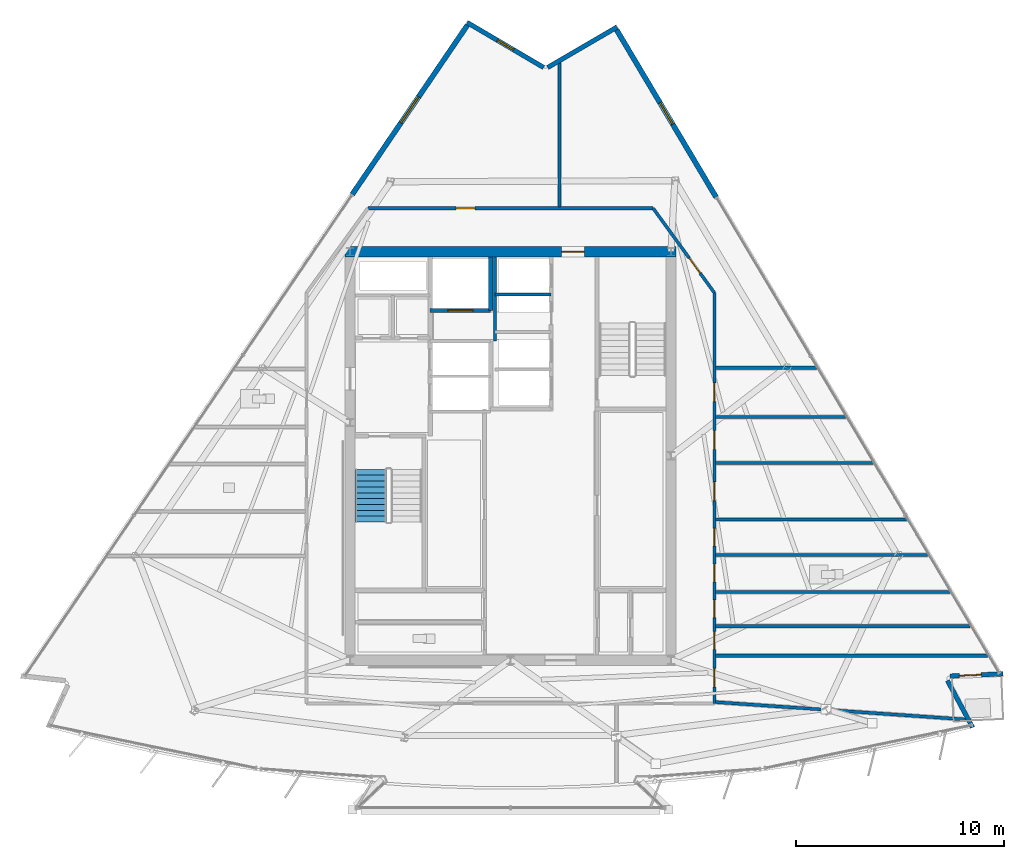
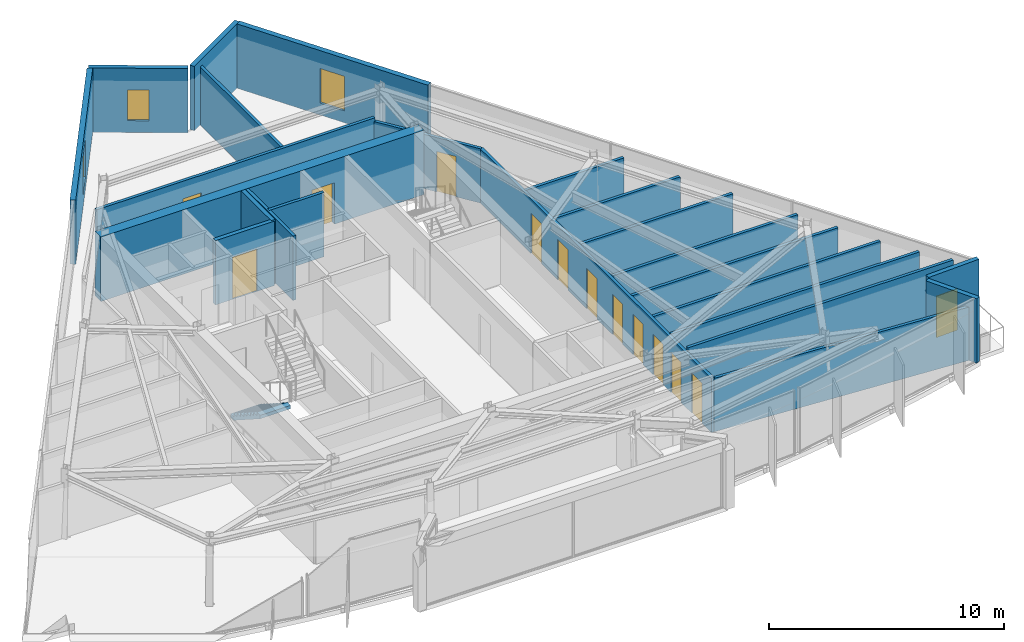
# One storey, part 8 of 13: 24 walls, 13 doors, 3 windows, 1 stair flight, 16 openings, 1 element without a shape of its own.
"""IFC4 building model written with IfcOpenShell, lengths in metres."""

from ifc_helpers import new_model, si_unit, direction, frame, frame_2d, origin, place, context, subcontext, project, spatial, polyline, rectangle, outline, extrude, material, layer, layer_set, type_object, element, fill, aggregate, save


model = new_model("IFC4")

# Units and contexts
model_context = context("Model", 3, precision=1e-05, world=origin(), true_north=direction((0.0, 1.0)))
body_context = subcontext(model_context, "Body", "Model", "MODEL_VIEW")
ifc_project = project(units=[si_unit("LENGTHUNIT", "METRE"), si_unit("AREAUNIT", "SQUARE_METRE"), si_unit("VOLUMEUNIT", "CUBIC_METRE"), si_unit("PLANEANGLEUNIT", "RADIAN"), si_unit("MASSUNIT", "GRAM", prefix="KILO")], contexts=[model_context])

# Site, building, storey
site_placement = place(None, origin())
site = spatial("IfcSite", under=ifc_project, at=site_placement, CompositionType="ELEMENT")
building_placement = place(site_placement, origin())
building = spatial("IfcBuilding", under=site, at=building_placement, Name="Savorim Split Tower", CompositionType="ELEMENT")
storey_placement = place(building_placement, frame((0.0, 0.0, 286.800048828125)))
storey = spatial("IfcBuildingStorey", under=building, at=storey_placement, Name="L76", CompositionType="ELEMENT", Elevation=286.800048828125)

# Wall, opening, door
ifc_material_1 = material(Name="Concrete C60/75", Category="concrete")
ifc_layer_1 = layer(ifc_material_1, 0.5)
ifc_layer_set_1 = layer_set([ifc_layer_1], Name="WAL-COR-SH500")
wall_type_1 = type_object("IfcWallType", Name="WAL-COR-SH500", PredefinedType="SHEAR", material=ifc_layer_set_1)
wall_1_placement = place(storey_placement, frame((7.949951171875, 10.199951171875, 0.0), z_axis=(0.0, 0.0, 1.0), x_axis=(-1.0, 0.0, 0.0)))
wall_1 = element("IfcWall", 1, at=wall_1_placement, inside=storey, type_object=wall_type_1, Name="L76 Offset Core North Shear Wall", PredefinedType="SHEAR", context=body_context, shape_type="SweptSolid", body=[
    extrude(rectangle(XDim=15.89990234375, YDim=0.5, at=frame_2d((7.949951171875, 0.0))), origin(), (0.0, 0.0, 1.0), 3.349853515625),
])
opening_1_placement = place(wall_1_placement, frame((4.39990234375, 0.0, 0.0)))
opening_1 = element("IfcOpeningElement", 2, at=opening_1_placement, cuts=wall_1, Name="Opening DI-03", PredefinedType="OPENING", context=body_context, shape_type="SweptSolid", body=[
    extrude(rectangle(XDim=1.10009765625, YDim=2.14990234375, at=frame_2d((0.550048828125, 1.074951171875))), frame((0.0, 0.260009765625, 0.0), z_axis=(0.0, -1.0, 0.0), x_axis=(1.0, 0.0, 0.0)), (0.0, 0.0, 1.0), 0.52001953125),
])
ifc_material_2 = material(Name="Timber Fire Door Leaf", Category="wood")
door_type_1 = type_object("IfcDoorType", Name="DOR-FIR-1100", OperationType="NOTDEFINED", PredefinedType="DOOR", material=ifc_material_2)
door_1_placement = place(opening_1_placement, origin())
door_1 = element("IfcDoor", 3, at=door_1_placement, inside=storey, type_object=door_type_1, Name="DOR-L76-COR-NLOB - L76 North Corridor Lobby Fire Door", OperationType="SINGLE_SWING_LEFT", OverallHeight=2.14990234375, OverallWidth=1.10009765625, PredefinedType="DOOR", context=body_context, shape_type="SweptSolid", body=[
    extrude(rectangle(XDim=1.10009765625, YDim=2.14990234375, at=frame_2d((0.550048828125, 1.074951171875))), frame((0.0, 0.02490234375, 0.0), z_axis=(0.0, -1.0, 0.0), x_axis=(1.0, 0.0, 0.0)), (0.0, 0.0, 1.0), 0.050048828125),
])
fill(opening_1, door_1)

# Wall
ifc_material_3 = material(Name="Precast concrete C40/50", Category="concrete")
ifc_layer_2 = layer(ifc_material_3, 0.219970703125)
ifc_layer_set_2 = layer_set([ifc_layer_2], Name="WAL-EXT-CRN220")
wall_type_2 = type_object("IfcWallType", Name="WAL-EXT-CRN220", PredefinedType="SOLIDWALL", material=ifc_layer_set_2)
wall_2_placement = place(storey_placement, frame((20.9638671875, -10.380615234375, 0.0), z_axis=(0.0, 0.0, 1.0), x_axis=(0.472728849632, -0.881207940685, 0.0)))
element("IfcWall", 4, at=wall_2_placement, inside=storey, type_object=wall_type_2, Name="L76 Notched Corner Facade Wall SE1", PredefinedType="SOLIDWALL", context=body_context, shape_type="SweptSolid", body=[
    extrude(rectangle(XDim=2.5498046875, YDim=0.219970703125, at=frame_2d((1.27490234375, 0.0))), origin(), (0.0, 0.0, 1.0), 3.349853515625),
])

# Wall, opening, door
wall_3_placement = place(storey_placement, frame((23.630615234375, -10.058837890625, 0.0), z_axis=(0.0, 0.0, 1.0), x_axis=(-0.999098350703, -0.042455690107, 0.0)))
wall_3 = element("IfcWall", 5, at=wall_3_placement, inside=storey, type_object=wall_type_2, Name="L76 Notched Corner Facade Wall SE", PredefinedType="SOLIDWALL", context=body_context, shape_type="SweptSolid", body=[
    extrude(rectangle(XDim=2.54736328125, YDim=0.219970703125, at=frame_2d((1.273681640625, 0.0))), origin(), (0.0, 0.0, 1.0), 3.349853515625),
])
opening_2_placement = place(wall_3_placement, frame((1.048583984375, 0.0, 0.0)))
opening_2 = element("IfcOpeningElement", 6, at=opening_2_placement, cuts=wall_3, Name="Opening DB-01", PredefinedType="OPENING", context=body_context, shape_type="SweptSolid", body=[
    extrude(rectangle(XDim=1.050048828125, YDim=2.14990234375, at=frame_2d((0.52490234375, 1.074951171875))), frame((0.0, 0.119873046875, 0.0), z_axis=(0.0, -1.0, 0.0), x_axis=(1.0, 0.0, 0.0)), (0.0, 0.0, 1.0), 0.239990234375),
])
ifc_material_4 = material(Name="Charcoal Anodised Aluminium", Category="aluminium")
door_type_2 = type_object("IfcDoorType", Name="DOR-BAL-1050", OperationType="NOTDEFINED", PredefinedType="DOOR", material=ifc_material_4)
door_2_placement = place(opening_2_placement, origin())
door_2 = element("IfcDoor", 7, at=door_2_placement, inside=storey, type_object=door_type_2, Name="DOR-L76-TBAL-SE - L76 Planted Tree Balcony Door SE", OperationType="SINGLE_SWING_LEFT", OverallHeight=2.14990234375, OverallWidth=1.050048828125, PredefinedType="DOOR", context=body_context, shape_type="SweptSolid", body=[
    extrude(rectangle(XDim=1.050048828125, YDim=2.14990234375, at=frame_2d((0.52490234375, 1.074951171875))), frame((0.0, 0.02490234375, 0.0), z_axis=(0.0, -1.0, 0.0), x_axis=(1.0, 0.0, 0.0)), (0.0, 0.0, 1.0), 0.050048828125),
])
fill(opening_2, door_2)

# Wall
wall_4_placement = place(storey_placement, frame((1.78271484375, 19.031005859375, 0.0), z_axis=(0.0, 0.0, 1.0), x_axis=(0.863972097652, 0.503539685108, 0.0)))
element("IfcWall", 8, at=wall_4_placement, inside=storey, type_object=wall_type_2, Name="L76 Notched Corner Facade Wall NE1", PredefinedType="SOLIDWALL", context=body_context, shape_type="SweptSolid", body=[
    extrude(rectangle(XDim=3.8486328125, YDim=0.219970703125, at=frame_2d((1.92431640625, 0.0))), origin(), (0.0, 0.0, 1.0), 3.349853515625),
])

# Wall, opening, window
wall_5_placement = place(storey_placement, frame((-2.073974609375, 21.186279296875, 0.0), z_axis=(0.0, 0.0, 1.0), x_axis=(0.862137800155, -0.506673872964, 0.0)))
wall_5 = element("IfcWall", 9, at=wall_5_placement, inside=storey, type_object=wall_type_2, Name="L76 Notched Corner Facade Wall N", PredefinedType="SOLIDWALL", context=body_context, shape_type="SweptSolid", body=[
    extrude(rectangle(XDim=4.252685546875, YDim=0.219970703125, at=frame_2d((2.12646484375, 0.0))), origin(), (0.0, 0.0, 1.0), 3.349853515625),
])
opening_3_placement = place(wall_5_placement, frame((1.676513671875, 0.0, 0.6201171875)))
opening_3 = element("IfcOpeningElement", 10, at=opening_3_placement, cuts=wall_5, Name="Opening WN-10", PredefinedType="OPENING", context=body_context, shape_type="SweptSolid", body=[
    extrude(rectangle(XDim=0.89990234375, YDim=1.60009765625, at=frame_2d((0.449951171875, 0.800048828125))), frame((0.0, 0.119873046875, 0.0), z_axis=(0.0, -1.0, 0.0), x_axis=(1.0, 0.0, 0.0)), (0.0, 0.0, 1.0), 0.239990234375),
])
ifc_material_5 = material(Name="Low-E Operable Double Glazing", Category="glass")
window_type_1 = type_object("IfcWindowType", Name="WIN-TWR-900x1600", PartitioningType="SINGLE_PANEL", PredefinedType="WINDOW", material=ifc_material_5)
window_1_placement = place(opening_3_placement, origin())
window_1 = element("IfcWindow", 11, at=window_1_placement, inside=storey, type_object=window_type_1, Name="L76 Operable Corner Window N", OverallHeight=1.60009765625, OverallWidth=0.89990234375, PartitioningType="SINGLE_PANEL", PredefinedType="WINDOW", context=body_context, shape_type="SweptSolid", body=[
    extrude(rectangle(XDim=0.89990234375, YDim=1.60009765625, at=frame_2d((0.449951171875, 0.800048828125))), frame((0.0, 0.030029296875, 0.0), z_axis=(0.0, -1.0, 0.0), x_axis=(1.0, 0.0, 0.0)), (0.0, 0.0, 1.0), 0.06005859375),
])
fill(opening_3, window_1)

ifc_layer_3 = layer(ifc_material_3, 0.25)
ifc_layer_set_3 = layer_set([ifc_layer_3], Name="WAL-EXT-SPN250")
wall_type_3 = type_object("IfcWallType", Name="WAL-EXT-SPN250", PredefinedType="SOLIDWALL", material=ifc_layer_set_3)
wall_6_placement = place(storey_placement, frame((5.09130859375, 20.84228515625, 0.0), z_axis=(0.0, 0.0, 1.0), x_axis=(0.511095217069, -0.859524100354, 0.0)))
wall_6 = element("IfcWall", 12, at=wall_6_placement, inside=storey, type_object=wall_type_3, Name="L76 East Operable Window Pier", PredefinedType="SOLIDWALL", context=body_context, shape_type="SweptSolid", body=[
    extrude(rectangle(XDim=9.344482421875, YDim=0.25, at=frame_2d((4.67236328125, 0.0))), origin(), (0.0, 0.0, 1.0), 3.349853515625),
])
opening_4_placement = place(wall_6_placement, frame((4.072265625, 0.0, 0.6201171875)))
opening_4 = element("IfcOpeningElement", 13, at=opening_4_placement, cuts=wall_6, Name="Opening WN-08", PredefinedType="OPENING", context=body_context, shape_type="SweptSolid", body=[
    extrude(rectangle(XDim=1.199951171875, YDim=1.800048828125, at=frame_2d((0.60009765625, 0.89990234375))), frame((0.0, 0.135009765625, 0.0), z_axis=(0.0, -1.0, 0.0), x_axis=(1.0, 0.0, 0.0)), (0.0, 0.0, 1.0), 0.27001953125),
])
window_type_2 = type_object("IfcWindowType", Name="WIN-TWR-1200x1800", PartitioningType="SINGLE_PANEL", PredefinedType="WINDOW", material=ifc_material_5)
window_2_placement = place(opening_4_placement, origin())
window_2 = element("IfcWindow", 14, at=window_2_placement, inside=storey, type_object=window_type_2, Name="L76 East Operable Ventilation Window", OverallHeight=1.800048828125, OverallWidth=1.199951171875, PartitioningType="SINGLE_PANEL", PredefinedType="WINDOW", context=body_context, shape_type="SweptSolid", body=[
    extrude(rectangle(XDim=1.199951171875, YDim=1.800048828125, at=frame_2d((0.60009765625, 0.89990234375))), frame((0.0, 0.030029296875, 0.0), z_axis=(0.0, -1.0, 0.0), x_axis=(1.0, 0.0, 0.0)), (0.0, 0.0, 1.0), 0.06005859375),
])
fill(opening_4, window_2)

wall_7_placement = place(storey_placement, frame((-7.59326171875, 12.944580078125, 0.0), z_axis=(0.0, 0.0, 1.0), x_axis=(0.562476003565, 0.826813609838, 0.0)))
wall_7 = element("IfcWall", 15, at=wall_7_placement, inside=storey, type_object=wall_type_3, Name="L76 West Operable Window Pier", PredefinedType="SOLIDWALL", context=body_context, shape_type="SweptSolid", body=[
    extrude(rectangle(XDim=9.81591796875, YDim=0.25, at=frame_2d((4.907958984375, 0.0))), origin(), (0.0, 0.0, 1.0), 3.349853515625),
])
opening_5_placement = place(wall_7_placement, frame((4.157958984375, 0.0, 0.6201171875)))
opening_5 = element("IfcOpeningElement", 16, at=opening_5_placement, cuts=wall_7, Name="Opening WN-06", PredefinedType="OPENING", context=body_context, shape_type="SweptSolid", body=[
    extrude(rectangle(XDim=1.5, YDim=2.0, at=frame_2d((0.75, 1.0))), frame((0.0, 0.135009765625, 0.0), z_axis=(0.0, -1.0, 0.0), x_axis=(1.0, 0.0, 0.0)), (0.0, 0.0, 1.0), 0.27001953125),
])
window_type_3 = type_object("IfcWindowType", Name="WIN-TWR-1500x2000", PartitioningType="SINGLE_PANEL", PredefinedType="WINDOW", material=ifc_material_5)
window_3_placement = place(opening_5_placement, origin())
window_3 = element("IfcWindow", 17, at=window_3_placement, inside=storey, type_object=window_type_3, Name="L76 West Operable Ventilation Window", OverallHeight=2.0, OverallWidth=1.5, PartitioningType="SINGLE_PANEL", PredefinedType="WINDOW", context=body_context, shape_type="SweptSolid", body=[
    extrude(rectangle(XDim=1.5, YDim=2.0, at=frame_2d((0.75, 1.0))), frame((0.0, 0.030029296875, 0.0), z_axis=(0.0, -1.0, 0.0), x_axis=(1.0, 0.0, 0.0)), (0.0, 0.0, 1.0), 0.06005859375),
])
fill(opening_5, window_3)

# Wall, opening, door
ifc_material_6 = material(Name="Concrete C50/60", Category="concrete")
ifc_layer_4 = layer(ifc_material_6, 0.199951171875)
ifc_layer_set_4 = layer_set([ifc_layer_4], Name="WAL-INT-RC200")
wall_type_4 = type_object("IfcWallType", Name="WAL-INT-RC200", PredefinedType="SOLIDWALL", material=ifc_layer_set_4)
wall_8_placement = place(storey_placement, frame((-3.85009765625, 7.3798828125, 0.0), z_axis=(0.0, 0.0, 1.0), x_axis=(1.0, 0.0, 0.0)))
wall_8 = element("IfcWall", 18, at=wall_8_placement, inside=storey, type_object=wall_type_4, Name="L76 Partition W-L76-SVLS", PredefinedType="SOLIDWALL", context=body_context, shape_type="SweptSolid", body=[
    extrude(rectangle(XDim=2.900146484375, YDim=0.199951171875, at=frame_2d((1.4501953125, 0.0))), origin(), (0.0, 0.0, 1.0), 3.349853515625),
])
opening_6_placement = place(wall_8_placement, frame((0.85009765625, 0.0, 0.0)))
opening_6 = element("IfcOpeningElement", 19, at=opening_6_placement, cuts=wall_8, Name="Opening LD-SV", PredefinedType="OPENING", context=body_context, shape_type="SweptSolid", body=[
    extrude(rectangle(XDim=1.199951171875, YDim=2.199951171875, at=frame_2d((0.60009765625, 1.10009765625))), frame((0.0, 0.10986328125, 0.0), z_axis=(0.0, -1.0, 0.0), x_axis=(1.0, 0.0, 0.0)), (0.0, 0.0, 1.0), 0.219970703125),
])
door_type_3 = type_object("IfcDoorType", Name="DOR-SLD-SV1200", OperationType="NOTDEFINED", PredefinedType="DOOR", material=ifc_material_4)
door_3_placement = place(opening_6_placement, origin())
door_3 = element("IfcDoor", 20, at=door_3_placement, inside=storey, type_object=door_type_3, Name="DR-L76-LD-SVL1 - L76 Service Lift SVL-1 Sliding Landing Door", OperationType="DOUBLE_DOOR_SLIDING", OverallHeight=2.199951171875, OverallWidth=1.199951171875, PredefinedType="DOOR", context=body_context, shape_type="SweptSolid", body=[
    extrude(rectangle(XDim=1.199951171875, YDim=2.199951171875, at=frame_2d((0.60009765625, 1.10009765625))), frame((0.0, 0.02490234375, 0.0), z_axis=(0.0, -1.0, 0.0), x_axis=(1.0, 0.0, 0.0)), (0.0, 0.0, 1.0), 0.050048828125),
])
fill(opening_6, door_3)

# Walls
wall_9_placement = place(storey_placement, frame((-0.949951171875, 7.3798828125, 0.0), z_axis=(0.0, 0.0, 1.0), x_axis=(0.0, 1.0, 0.0)))
element("IfcWall", 21, at=wall_9_placement, inside=storey, type_object=wall_type_4, Name="L76 Partition W-L76-SVLE", PredefinedType="SOLIDWALL", context=body_context, shape_type="SweptSolid", body=[
    extrude(rectangle(XDim=2.565185546875, YDim=0.199951171875, at=frame_2d((1.28271484375, 0.0))), origin(), (0.0, 0.0, 1.0), 3.349853515625),
])
ifc_material_7 = material(Name="Acoustic Gypsum Partition Board")
ifc_layer_5 = layer(ifc_material_7, 0.14990234375)
ifc_layer_set_5 = layer_set([ifc_layer_5], Name="WAL-PAR-150")
wall_type_5 = type_object("IfcWallType", Name="WAL-PAR-150", PredefinedType="PARTITIONING", material=ifc_layer_set_5)
wall_10_placement = place(storey_placement, frame((-0.75, 5.919921875, 0.0), z_axis=(0.0, 0.0, 1.0), x_axis=(0.0, 1.0, 0.0)))
element("IfcWall", 22, at=wall_10_placement, inside=storey, type_object=wall_type_5, Name="L76 Partition W-L76-B3WEST", PredefinedType="PARTITIONING", context=body_context, shape_type="SweptSolid", body=[
    extrude(rectangle(XDim=4.025146484375, YDim=0.14990234375, at=frame_2d((2.0126953125, 0.0))), origin(), (0.0, 0.0, 1.0), 3.349853515625),
])
wall_11_placement = place(storey_placement, frame((-0.75, 8.14990234375, 0.0), z_axis=(0.0, 0.0, 1.0), x_axis=(1.0, 0.0, 0.0)))
element("IfcWall", 23, at=wall_11_placement, inside=storey, type_object=wall_type_5, Name="L76 Partition W-L76-B3DIV3", PredefinedType="PARTITIONING", context=body_context, shape_type="SweptSolid", body=[
    extrude(rectangle(XDim=2.699951171875, YDim=0.14990234375, at=frame_2d((1.35009765625, 0.0))), origin(), (0.0, 0.0, 1.0), 3.349853515625),
])

# Wall, opening, door
wall_12_placement = place(storey_placement, frame((-6.8408203125, 12.280029296875, 0.0), z_axis=(0.0, 0.0, 1.0), x_axis=(1.0, 0.0, 0.0)))
wall_12 = element("IfcWall", 24, at=wall_12_placement, inside=storey, type_object=wall_type_5, Name="L76 Partition W-L76-COR-03", PredefinedType="PARTITIONING", context=body_context, shape_type="SweptSolid", body=[
    extrude(rectangle(XDim=13.681640625, YDim=0.14990234375, at=frame_2d((6.8408203125, 0.0))), origin(), (0.0, 0.0, 1.0), 3.014892578125),
])
opening_7_placement = place(wall_12_placement, frame((4.237548828125, 0.0, 0.0)))
opening_7 = element("IfcOpeningElement", 25, at=opening_7_placement, cuts=wall_12, Name="Opening DI-06", PredefinedType="OPENING", context=body_context, shape_type="SweptSolid", body=[
    extrude(rectangle(XDim=0.89990234375, YDim=2.10009765625, at=frame_2d((0.449951171875, 1.050048828125))), frame((0.0, 0.0849609375, 0.0), z_axis=(0.0, -1.0, 0.0), x_axis=(1.0, 0.0, 0.0)), (0.0, 0.0, 1.0), 0.169921875),
])
door_type_4 = type_object("IfcDoorType", Name="DOR-FIR-900", OperationType="NOTDEFINED", PredefinedType="DOOR", material=ifc_material_2)
door_4_placement = place(opening_7_placement, origin())
door_4 = element("IfcDoor", 26, at=door_4_placement, inside=storey, type_object=door_type_4, Name="DR-L76-RM14 - L76 Maker Workshop Entry Door", OperationType="SINGLE_SWING_LEFT", OverallHeight=2.10009765625, OverallWidth=0.89990234375, PredefinedType="DOOR", context=body_context, shape_type="SweptSolid", body=[
    extrude(rectangle(XDim=0.89990234375, YDim=2.10009765625, at=frame_2d((0.449951171875, 1.050048828125))), frame((0.0, 0.02490234375, 0.0), z_axis=(0.0, -1.0, 0.0), x_axis=(1.0, 0.0, 0.0)), (0.0, 0.0, 1.0), 0.050048828125),
])
fill(opening_7, door_4)

wall_13_placement = place(storey_placement, frame((6.8408203125, 12.280029296875, 0.0), z_axis=(0.0, 0.0, 1.0), x_axis=(0.586956386413, -0.809618552436, 0.0)))
wall_13 = element("IfcWall", 27, at=wall_13_placement, inside=storey, type_object=wall_type_5, Name="L76 Partition W-L76-COR-04", PredefinedType="PARTITIONING", context=body_context, shape_type="SweptSolid", body=[
    extrude(rectangle(XDim=5.007568359375, YDim=0.14990234375, at=frame_2d((2.50390625, 0.0))), origin(), (0.0, 0.0, 1.0), 2.824951171875),
])
opening_8_placement = place(wall_13_placement, frame((2.95361328125, 0.0, 0.0)))
opening_8 = element("IfcOpeningElement", 28, at=opening_8_placement, cuts=wall_13, Name="Opening DI-06", PredefinedType="OPENING", context=body_context, shape_type="SweptSolid", body=[
    extrude(rectangle(XDim=0.89990234375, YDim=2.10009765625, at=frame_2d((0.449951171875, 1.050048828125))), frame((0.0, 0.0849609375, 0.0), z_axis=(0.0, -1.0, 0.0), x_axis=(1.0, 0.0, 0.0)), (0.0, 0.0, 1.0), 0.169921875),
])
door_5_placement = place(opening_8_placement, origin())
door_5 = element("IfcDoor", 29, at=door_5_placement, inside=storey, type_object=door_type_4, Name="DR-L76-RM13 - L76 Maker Workshop Entry Door", OperationType="SINGLE_SWING_RIGHT", OverallHeight=2.10009765625, OverallWidth=0.89990234375, PredefinedType="DOOR", context=body_context, shape_type="SweptSolid", body=[
    extrude(rectangle(XDim=0.89990234375, YDim=2.10009765625, at=frame_2d((0.449951171875, 1.050048828125))), frame((0.0, 0.02490234375, 0.0), z_axis=(0.0, -1.0, 0.0), x_axis=(1.0, 0.0, 0.0)), (0.0, 0.0, 1.0), 0.050048828125),
])
fill(opening_8, door_5)

# Wall, openings, doors
wall_14_placement = place(storey_placement, frame((9.780029296875, 8.225830078125, 0.0), z_axis=(0.0, 0.0, 1.0), x_axis=(0.0, -1.0, 0.0)))
wall_14 = element("IfcWall", 30, at=wall_14_placement, inside=storey, type_object=wall_type_5, Name="L76 Partition W-L76-COR-05", PredefinedType="PARTITIONING", context=body_context, shape_type="SweptSolid", body=[
    extrude(rectangle(XDim=19.705810546875, YDim=0.14990234375, at=frame_2d((9.85302734375, 0.0))), origin(), (0.0, 0.0, 1.0), 2.824951171875),
])
opening_9_placement = place(wall_14_placement, frame((18.020751953125, 0.0, 0.0)))
opening_9 = element("IfcOpeningElement", 31, at=opening_9_placement, cuts=wall_14, Name="Opening DI-06", PredefinedType="OPENING", context=body_context, shape_type="SweptSolid", body=[
    extrude(rectangle(XDim=0.89990234375, YDim=2.10009765625, at=frame_2d((0.449951171875, 1.050048828125))), frame((0.0, 0.0849609375, 0.0), z_axis=(0.0, -1.0, 0.0), x_axis=(1.0, 0.0, 0.0)), (0.0, 0.0, 1.0), 0.169921875),
])
opening_10_placement = place(wall_14_placement, frame((16.25634765625, 0.0, 0.0)))
opening_10 = element("IfcOpeningElement", 32, at=opening_10_placement, cuts=wall_14, Name="Opening DI-13", PredefinedType="OPENING", context=body_context, shape_type="SweptSolid", body=[
    extrude(rectangle(XDim=0.85009765625, YDim=2.10009765625, at=frame_2d((0.425048828125, 1.050048828125))), frame((0.0, 0.0849609375, 0.0), z_axis=(0.0, -1.0, 0.0), x_axis=(1.0, 0.0, 0.0)), (0.0, 0.0, 1.0), 0.169921875),
])
opening_11_placement = place(wall_14_placement, frame((14.73095703125, 0.0, 0.0)))
opening_11 = element("IfcOpeningElement", 33, at=opening_11_placement, cuts=wall_14, Name="Opening DI-13", PredefinedType="OPENING", context=body_context, shape_type="SweptSolid", body=[
    extrude(rectangle(XDim=0.85009765625, YDim=2.10009765625, at=frame_2d((0.425048828125, 1.050048828125))), frame((0.0, 0.0849609375, 0.0), z_axis=(0.0, -1.0, 0.0), x_axis=(1.0, 0.0, 0.0)), (0.0, 0.0, 1.0), 0.169921875),
])
opening_12_placement = place(wall_14_placement, frame((13.02294921875, 0.0, 0.0)))
opening_12 = element("IfcOpeningElement", 34, at=opening_12_placement, cuts=wall_14, Name="Opening DI-13", PredefinedType="OPENING", context=body_context, shape_type="SweptSolid", body=[
    extrude(rectangle(XDim=0.85009765625, YDim=2.10009765625, at=frame_2d((0.425048828125, 1.050048828125))), frame((0.0, 0.0849609375, 0.0), z_axis=(0.0, -1.0, 0.0), x_axis=(1.0, 0.0, 0.0)), (0.0, 0.0, 1.0), 0.169921875),
])
opening_13_placement = place(wall_14_placement, frame((11.31005859375, 0.0, 0.0)))
opening_13 = element("IfcOpeningElement", 35, at=opening_13_placement, cuts=wall_14, Name="Opening DI-13", PredefinedType="OPENING", context=body_context, shape_type="SweptSolid", body=[
    extrude(rectangle(XDim=0.85009765625, YDim=2.10009765625, at=frame_2d((0.425048828125, 1.050048828125))), frame((0.0, 0.0849609375, 0.0), z_axis=(0.0, -1.0, 0.0), x_axis=(1.0, 0.0, 0.0)), (0.0, 0.0, 1.0), 0.169921875),
])
opening_14_placement = place(wall_14_placement, frame((9.076416015625, 0.0, 0.0)))
opening_14 = element("IfcOpeningElement", 36, at=opening_14_placement, cuts=wall_14, Name="Opening DI-06", PredefinedType="OPENING", context=body_context, shape_type="SweptSolid", body=[
    extrude(rectangle(XDim=0.89990234375, YDim=2.10009765625, at=frame_2d((0.449951171875, 1.050048828125))), frame((0.0, 0.0849609375, 0.0), z_axis=(0.0, -1.0, 0.0), x_axis=(1.0, 0.0, 0.0)), (0.0, 0.0, 1.0), 0.169921875),
])
opening_15_placement = place(wall_14_placement, frame((6.61083984375, 0.0, 0.0)))
opening_15 = element("IfcOpeningElement", 37, at=opening_15_placement, cuts=wall_14, Name="Opening DI-06", PredefinedType="OPENING", context=body_context, shape_type="SweptSolid", body=[
    extrude(rectangle(XDim=0.89990234375, YDim=2.10009765625, at=frame_2d((0.449951171875, 1.050048828125))), frame((0.0, 0.0849609375, 0.0), z_axis=(0.0, -1.0, 0.0), x_axis=(1.0, 0.0, 0.0)), (0.0, 0.0, 1.0), 0.169921875),
])
opening_16_placement = place(wall_14_placement, frame((4.3291015625, 0.0, 0.0)))
opening_16 = element("IfcOpeningElement", 38, at=opening_16_placement, cuts=wall_14, Name="Opening DI-06", PredefinedType="OPENING", context=body_context, shape_type="SweptSolid", body=[
    extrude(rectangle(XDim=0.89990234375, YDim=2.10009765625, at=frame_2d((0.449951171875, 1.050048828125))), frame((0.0, 0.0849609375, 0.0), z_axis=(0.0, -1.0, 0.0), x_axis=(1.0, 0.0, 0.0)), (0.0, 0.0, 1.0), 0.169921875),
])
door_type_5 = type_object("IfcDoorType", Name="DOR-FIR-850", OperationType="NOTDEFINED", PredefinedType="DOOR", material=ifc_material_2)
door_6_placement = place(opening_10_placement, origin())
door_6 = element("IfcDoor", 39, at=door_6_placement, inside=storey, type_object=door_type_5, Name="DR-L76-RM06 - L76 Quiet Study Room Entry Door", OperationType="SINGLE_SWING_LEFT", OverallHeight=2.10009765625, OverallWidth=0.85009765625, PredefinedType="DOOR", context=body_context, shape_type="SweptSolid", body=[
    extrude(rectangle(XDim=0.85009765625, YDim=2.10009765625, at=frame_2d((0.425048828125, 1.050048828125))), frame((0.0, 0.02490234375, 0.0), z_axis=(0.0, -1.0, 0.0), x_axis=(1.0, 0.0, 0.0)), (0.0, 0.0, 1.0), 0.050048828125),
])
fill(opening_10, door_6)
door_7_placement = place(opening_11_placement, origin())
door_7 = element("IfcDoor", 40, at=door_7_placement, inside=storey, type_object=door_type_5, Name="DR-L76-RM07 - L76 Maker Workshop Entry Door", OperationType="SINGLE_SWING_RIGHT", OverallHeight=2.10009765625, OverallWidth=0.85009765625, PredefinedType="DOOR", context=body_context, shape_type="SweptSolid", body=[
    extrude(rectangle(XDim=0.85009765625, YDim=2.10009765625, at=frame_2d((0.425048828125, 1.050048828125))), frame((0.0, 0.02490234375, 0.0), z_axis=(0.0, -1.0, 0.0), x_axis=(1.0, 0.0, 0.0)), (0.0, 0.0, 1.0), 0.050048828125),
])
fill(opening_11, door_7)
door_8_placement = place(opening_12_placement, origin())
door_8 = element("IfcDoor", 41, at=door_8_placement, inside=storey, type_object=door_type_5, Name="DR-L76-RM08 - L76 Shared Bathroom Entry Door", OperationType="SINGLE_SWING_LEFT", OverallHeight=2.10009765625, OverallWidth=0.85009765625, PredefinedType="DOOR", context=body_context, shape_type="SweptSolid", body=[
    extrude(rectangle(XDim=0.85009765625, YDim=2.10009765625, at=frame_2d((0.425048828125, 1.050048828125))), frame((0.0, 0.02490234375, 0.0), z_axis=(0.0, -1.0, 0.0), x_axis=(1.0, 0.0, 0.0)), (0.0, 0.0, 1.0), 0.050048828125),
])
fill(opening_12, door_8)
door_9_placement = place(opening_13_placement, origin())
door_9 = element("IfcDoor", 42, at=door_9_placement, inside=storey, type_object=door_type_5, Name="DR-L76-RM09 - L76 Quiet Study Room Entry Door", OperationType="SINGLE_SWING_RIGHT", OverallHeight=2.10009765625, OverallWidth=0.85009765625, PredefinedType="DOOR", context=body_context, shape_type="SweptSolid", body=[
    extrude(rectangle(XDim=0.85009765625, YDim=2.10009765625, at=frame_2d((0.425048828125, 1.050048828125))), frame((0.0, 0.02490234375, 0.0), z_axis=(0.0, -1.0, 0.0), x_axis=(1.0, 0.0, 0.0)), (0.0, 0.0, 1.0), 0.050048828125),
])
fill(opening_13, door_9)
door_10_placement = place(opening_9_placement, origin())
door_10 = element("IfcDoor", 43, at=door_10_placement, inside=storey, type_object=door_type_4, Name="DR-L76-RM05 - L76 Maker Workshop Entry Door", OperationType="SINGLE_SWING_RIGHT", OverallHeight=2.10009765625, OverallWidth=0.89990234375, PredefinedType="DOOR", context=body_context, shape_type="SweptSolid", body=[
    extrude(rectangle(XDim=0.89990234375, YDim=2.10009765625, at=frame_2d((0.449951171875, 1.050048828125))), frame((0.0, 0.02490234375, 0.0), z_axis=(0.0, -1.0, 0.0), x_axis=(1.0, 0.0, 0.0)), (0.0, 0.0, 1.0), 0.050048828125),
])
fill(opening_9, door_10)
door_11_placement = place(opening_14_placement, origin())
door_11 = element("IfcDoor", 44, at=door_11_placement, inside=storey, type_object=door_type_4, Name="DR-L76-RM10 - L76 Maker Workshop Entry Door", OperationType="SINGLE_SWING_LEFT", OverallHeight=2.10009765625, OverallWidth=0.89990234375, PredefinedType="DOOR", context=body_context, shape_type="SweptSolid", body=[
    extrude(rectangle(XDim=0.89990234375, YDim=2.10009765625, at=frame_2d((0.449951171875, 1.050048828125))), frame((0.0, 0.02490234375, 0.0), z_axis=(0.0, -1.0, 0.0), x_axis=(1.0, 0.0, 0.0)), (0.0, 0.0, 1.0), 0.050048828125),
])
fill(opening_14, door_11)
door_12_placement = place(opening_15_placement, origin())
door_12 = element("IfcDoor", 45, at=door_12_placement, inside=storey, type_object=door_type_4, Name="DR-L76-RM11 - L76 Maker Workshop Entry Door", OperationType="SINGLE_SWING_RIGHT", OverallHeight=2.10009765625, OverallWidth=0.89990234375, PredefinedType="DOOR", context=body_context, shape_type="SweptSolid", body=[
    extrude(rectangle(XDim=0.89990234375, YDim=2.10009765625, at=frame_2d((0.449951171875, 1.050048828125))), frame((0.0, 0.02490234375, 0.0), z_axis=(0.0, -1.0, 0.0), x_axis=(1.0, 0.0, 0.0)), (0.0, 0.0, 1.0), 0.050048828125),
])
fill(opening_15, door_12)
door_13_placement = place(opening_16_placement, origin())
door_13 = element("IfcDoor", 46, at=door_13_placement, inside=storey, type_object=door_type_4, Name="DR-L76-RM12 - L76 Co-Working Commons Entry Door", OperationType="SINGLE_SWING_LEFT", OverallHeight=2.10009765625, OverallWidth=0.89990234375, PredefinedType="DOOR", context=body_context, shape_type="SweptSolid", body=[
    extrude(rectangle(XDim=0.89990234375, YDim=2.10009765625, at=frame_2d((0.449951171875, 1.050048828125))), frame((0.0, 0.02490234375, 0.0), z_axis=(0.0, -1.0, 0.0), x_axis=(1.0, 0.0, 0.0)), (0.0, 0.0, 1.0), 0.050048828125),
])
fill(opening_16, door_13)

# Walls
wall_15_placement = place(storey_placement, frame((9.839111328125, -11.413818359375, 0.0), z_axis=(0.0, 0.0, 1.0), x_axis=(0.997602550349, -0.069203695979, 0.0)))
element("IfcWall", 47, at=wall_15_placement, inside=storey, type_object=wall_type_5, Name="L76 Partition W-L76-PRAD04", PredefinedType="PARTITIONING", context=body_context, shape_type="SweptSolid", body=[
    extrude(rectangle(XDim=12.1005859375, YDim=0.14990234375, at=frame_2d((6.05029296875, 0.0))), origin(), (0.0, 0.0, 1.0), 2.77490234375),
])
wall_16_placement = place(storey_placement, frame((9.840087890625, -4.3564453125, 0.0), z_axis=(0.0, 0.0, 1.0), x_axis=(1.0, 0.0, 0.0)))
element("IfcWall", 48, at=wall_16_placement, inside=storey, type_object=wall_type_5, Name="L76 Partition W-L76-PRAD05", PredefinedType="PARTITIONING", context=body_context, shape_type="SweptSolid", body=[
    extrude(rectangle(XDim=10.1767578125, YDim=0.14990234375, at=frame_2d((5.08837890625, 0.0))), origin(), (0.0, 0.0, 1.0), 2.77490234375),
])
wall_17_placement = place(storey_placement, frame((9.840087890625, 4.624267578125, 0.0), z_axis=(0.0, 0.0, 1.0), x_axis=(1.0, 0.0, 0.0)))
element("IfcWall", 49, at=wall_17_placement, inside=storey, type_object=wall_type_5, Name="L76 Partition W-L76-PRAD06", PredefinedType="PARTITIONING", context=body_context, shape_type="SweptSolid", body=[
    extrude(rectangle(XDim=4.836669921875, YDim=0.14990234375, at=frame_2d((2.41845703125, 0.0))), origin(), (0.0, 0.0, 1.0), 2.824951171875),
])
wall_18_placement = place(storey_placement, frame((9.840087890625, -7.772705078125, 0.0), z_axis=(0.0, 0.0, 1.0), x_axis=(1.0, 0.0, 0.0)))
element("IfcWall", 50, at=wall_18_placement, inside=storey, type_object=wall_type_5, Name="L76 Partition W-L76-SUB02", PredefinedType="PARTITIONING", context=body_context, shape_type="SweptSolid", body=[
    extrude(rectangle(XDim=12.2080078125, YDim=0.14990234375, at=frame_2d((6.10400390625, 0.0))), origin(), (0.0, 0.0, 1.0), 2.875),
])
wall_19_placement = place(storey_placement, frame((9.840087890625, 0.060791015625, 0.0), z_axis=(0.0, 0.0, 1.0), x_axis=(1.0, 0.0, 0.0)))
element("IfcWall", 51, at=wall_19_placement, inside=storey, type_object=wall_type_5, Name="L76 Partition W-L76-SUB03", PredefinedType="PARTITIONING", context=body_context, shape_type="SweptSolid", body=[
    extrude(rectangle(XDim=7.55029296875, YDim=0.14990234375, at=frame_2d((3.775146484375, 0.0))), origin(), (0.0, 0.0, 1.0), 2.77490234375),
])
wall_20_placement = place(storey_placement, frame((9.840087890625, -9.188232421875, 0.0), z_axis=(0.0, 0.0, 1.0), x_axis=(1.0, 0.0, 0.0)))
element("IfcWall", 52, at=wall_20_placement, inside=storey, type_object=wall_type_5, Name="L76 Partition W-L76-SUB05", PredefinedType="PARTITIONING", context=body_context, shape_type="SweptSolid", body=[
    extrude(rectangle(XDim=13.0498046875, YDim=0.14990234375, at=frame_2d((6.52490234375, 0.0))), origin(), (0.0, 0.0, 1.0), 3.014892578125),
])
wall_21_placement = place(storey_placement, frame((9.840087890625, -6.1376953125, 0.0), z_axis=(0.0, 0.0, 1.0), x_axis=(1.0, 0.0, 0.0)))
element("IfcWall", 53, at=wall_21_placement, inside=storey, type_object=wall_type_5, Name="L76 Partition W-L76-SUB06", PredefinedType="PARTITIONING", context=body_context, shape_type="SweptSolid", body=[
    extrude(rectangle(XDim=11.23583984375, YDim=0.14990234375, at=frame_2d((5.617919921875, 0.0))), origin(), (0.0, 0.0, 1.0), 2.77490234375),
])
wall_22_placement = place(storey_placement, frame((9.840087890625, -2.661865234375, 0.0), z_axis=(0.0, 0.0, 1.0), x_axis=(1.0, 0.0, 0.0)))
element("IfcWall", 54, at=wall_22_placement, inside=storey, type_object=wall_type_5, Name="L76 Partition W-L76-SUB07", PredefinedType="PARTITIONING", context=body_context, shape_type="SweptSolid", body=[
    extrude(rectangle(XDim=9.169189453125, YDim=0.14990234375, at=frame_2d((4.58447265625, 0.0))), origin(), (0.0, 0.0, 1.0), 2.77490234375),
])
wall_23_placement = place(storey_placement, frame((9.840087890625, 2.269287109375, 0.0), z_axis=(0.0, 0.0, 1.0), x_axis=(1.0, 0.0, 0.0)))
element("IfcWall", 55, at=wall_23_placement, inside=storey, type_object=wall_type_5, Name="L76 Partition W-L76-SUB08", PredefinedType="PARTITIONING", context=body_context, shape_type="SweptSolid", body=[
    extrude(rectangle(XDim=6.23681640625, YDim=0.14990234375, at=frame_2d((3.118408203125, 0.0))), origin(), (0.0, 0.0, 1.0), 2.77490234375),
])
wall_24_placement = place(storey_placement, frame((2.356201171875, 12.340087890625, 0.0), z_axis=(0.0, 0.0, 1.0), x_axis=(0.0, 1.0, 0.0)))
element("IfcWall", 56, at=wall_24_placement, inside=storey, type_object=wall_type_5, Name="L76 Partition W-L76-SUB09", PredefinedType="PARTITIONING", context=body_context, shape_type="SweptSolid", body=[
    extrude(rectangle(XDim=6.96728515625, YDim=0.14990234375, at=frame_2d((3.483642578125, 0.0))), origin(), (0.0, 0.0, 1.0), 3.014892578125),
])

# Stair, stair flight
stair_type = type_object("IfcStairType", Name="STR-DOG-3600", PredefinedType="HALF_TURN_STAIR", material=ifc_material_6)
stair_placement = place(storey_placement, origin())
stair = element("IfcStair", 57, at=stair_placement, inside=storey, type_object=stair_type, Name="L76 Core Protected Exit Stair ST-1", PredefinedType="HALF_TURN_STAIR")
stair_flight_type = type_object("IfcStairFlightType", Name="SFL-DOG-3600", PredefinedType="STRAIGHT", material=ifc_material_6)
stair_flight_placement = place(storey_placement, frame((-6.699951171875, -0.25, 0.0), z_axis=(0.0, 0.0, 1.0), x_axis=(0.0, -1.0, 0.0)))
stair_flight = element("IfcStairFlight", 58, at=stair_flight_placement, type_object=stair_flight_type, Name="ST-1 flight 1", NumberOfRisers=10, NumberOfTreads=9, PredefinedType="STRAIGHT", RiserHeight=0.18, TreadLength=0.28, context=body_context, shape_type="SweptSolid", body=[
    extrude(outline(polyline([(0.0, 0.0), (0.0, 0.179931640625), (0.280029296875, 0.179931640625), (0.280029296875, 0.360107421875), (0.56005859375, 0.360107421875), (0.56005859375, 0.5400390625), (0.840087890625, 0.5400390625), (0.840087890625, 0.719970703125), (1.1201171875, 0.719970703125), (1.1201171875, 0.89990234375), (1.39990234375, 0.89990234375), (1.39990234375, 1.080078125), (1.679931640625, 1.080078125), (1.679931640625, 1.260009765625), (1.9599609375, 1.260009765625), (1.9599609375, 1.43994140625), (2.239990234375, 1.43994140625), (2.239990234375, 1.6201171875), (2.52001953125, 1.6201171875), (2.52001953125, 1.800048828125), (2.52001953125, 1.44189453125), (0.277099609375, 0.0), (0.0, 0.0)])), frame((0.0, 0.75, 0.0), z_axis=(0.0, -1.0, 0.0), x_axis=(1.0, 0.0, 0.0)), (0.0, 0.0, 1.0), 1.5),
])
aggregate(stair, [stair_flight])

save(model, "model.ifc")
